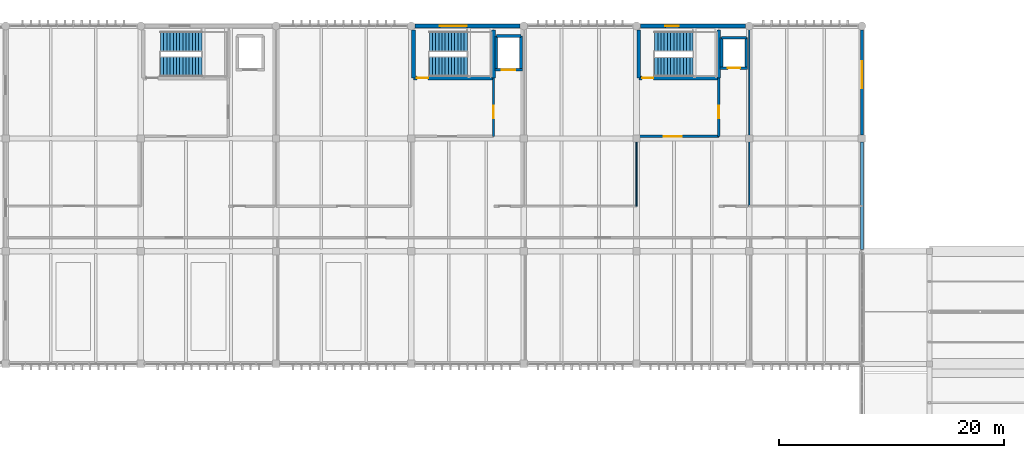
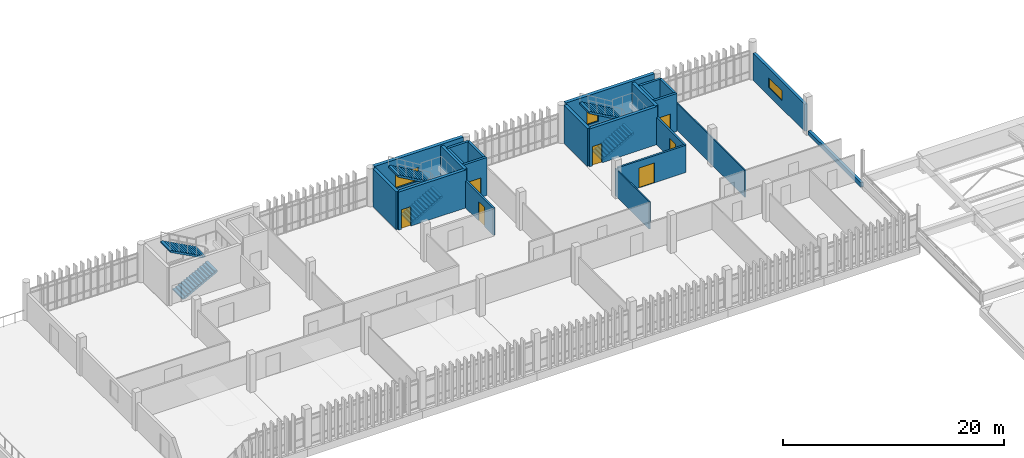
# One storey, part 79 of 82: 23 walls, 7 doors, 6 stair flights, 3 windows, 10 openings, 3 elements without a shape of their own.
"""IFC4 building model written with IfcOpenShell, lengths in metres."""

from ifc_helpers import new_model, si_unit, direction, frame, frame_2d, origin, place, context, subcontext, project, spatial, polyline, rectangle, outline, extrude, material, layer, layer_set, type_object, element, fill, aggregate, save


model = new_model("IFC4")

# Units and contexts
model_context = context("Model", 3, precision=1e-05, world=origin(), true_north=direction((0.0, 1.0)))
body_context = subcontext(model_context, "Body", "Model", "MODEL_VIEW")
ifc_project = project(units=[si_unit("LENGTHUNIT", "METRE"), si_unit("AREAUNIT", "SQUARE_METRE"), si_unit("VOLUMEUNIT", "CUBIC_METRE"), si_unit("PLANEANGLEUNIT", "RADIAN"), si_unit("MASSUNIT", "GRAM", prefix="KILO")], contexts=[model_context])

# Site, building, storey
site_placement = place(None, origin())
site = spatial("IfcSite", under=ifc_project, at=site_placement, CompositionType="ELEMENT")
building_placement = place(site_placement, origin())
building = spatial("IfcBuilding", under=site, at=building_placement, Name="Mersad Railyard Sports Hall", CompositionType="ELEMENT")
storey_placement = place(building_placement, frame((0.0, 0.0, 13.199951171875)))
storey = spatial("IfcBuildingStorey", under=building, at=storey_placement, Name="L03", CompositionType="ELEMENT", Elevation=13.199951171875)

# Wall, opening, window
ifc_material_1 = material(Name="Architectural concrete C50/60", Category="concrete")
ifc_layer_1 = layer(ifc_material_1, 0.35009765625)
ifc_layer_set_1 = layer_set([ifc_layer_1], Name="Architectural concrete C50/60")
wall_type_1 = type_object("IfcWallType", Name="ARC-WL-EW02", PredefinedType="SOLIDWALL", material=ifc_layer_set_1)
wall_1_placement = place(storey_placement, frame((91.35009765625, 115.0, 0.0), z_axis=(0.0, 0.0, 1.0), x_axis=(1.0, 0.0, 0.0)))
wall_1 = element("IfcWall", 1, at=wall_1_placement, inside=storey, type_object=wall_type_1, Name="External wall EW02-0130", PredefinedType="SOLIDWALL", context=body_context, shape_type="SweptSolid", body=[
    extrude(rectangle(XDim=9.2998046875, YDim=0.35009765625, at=frame_2d((4.64990234375, 0.0))), origin(), (0.0, 0.0, 1.0), 4.199951171875),
])
opening_1_placement = place(wall_1_placement, frame((2.199951171875, 0.0, 1.0)))
opening_1 = element("IfcOpeningElement", 2, at=opening_1_placement, cuts=wall_1, Name="Opening W07", PredefinedType="OPENING", context=body_context, shape_type="SweptSolid", body=[
    extrude(rectangle(XDim=2.39990234375, YDim=1.5, at=frame_2d((1.199951171875, 0.75))), frame((0.0, 0.18505859375, 0.0), z_axis=(0.0, -1.0, 0.0), x_axis=(1.0, 0.0, 0.0)), (0.0, 0.0, 1.0), 0.3701171875),
])
ifc_material_2 = material(Name="Solar-control glass", Category="glass")
window_type_1 = type_object("IfcWindowType", Name="ARC-WN-W07", PartitioningType="DOUBLE_PANEL_VERTICAL", PredefinedType="WINDOW", material=ifc_material_2)
window_1_placement = place(opening_1_placement, origin())
window_1 = element("IfcWindow", 3, at=window_1_placement, inside=storey, type_object=window_type_1, Name="Window W07-0045", OverallHeight=1.5, OverallWidth=2.39990234375, PartitioningType="DOUBLE_PANEL_VERTICAL", PredefinedType="WINDOW", context=body_context, shape_type="SweptSolid", body=[
    extrude(rectangle(XDim=2.39990234375, YDim=1.5, at=frame_2d((1.199951171875, 0.75))), frame((0.0, 0.030029296875, 0.0), z_axis=(0.0, -1.0, 0.0), x_axis=(1.0, 0.0, 0.0)), (0.0, 0.0, 1.0), 0.06005859375),
])
fill(opening_1, window_1)

wall_2_placement = place(storey_placement, frame((111.35009765625, 115.0, 0.0), z_axis=(0.0, 0.0, 1.0), x_axis=(1.0, 0.0, 0.0)))
wall_2 = element("IfcWall", 4, at=wall_2_placement, inside=storey, type_object=wall_type_1, Name="External wall EW02-0131", PredefinedType="SOLIDWALL", context=body_context, shape_type="SweptSolid", body=[
    extrude(rectangle(XDim=9.2998046875, YDim=0.35009765625, at=frame_2d((4.64990234375, 0.0))), origin(), (0.0, 0.0, 1.0), 4.199951171875),
])
opening_2_placement = place(wall_2_placement, frame((2.199951171875, 0.0, 1.0)))
opening_2 = element("IfcOpeningElement", 5, at=opening_2_placement, cuts=wall_2, Name="Opening W09", PredefinedType="OPENING", context=body_context, shape_type="SweptSolid", body=[
    extrude(rectangle(XDim=1.199951171875, YDim=1.800048828125, at=frame_2d((0.60009765625, 0.89990234375))), frame((0.0, 0.18505859375, 0.0), z_axis=(0.0, -1.0, 0.0), x_axis=(1.0, 0.0, 0.0)), (0.0, 0.0, 1.0), 0.3701171875),
])
window_type_2 = type_object("IfcWindowType", Name="ARC-WN-W09", PartitioningType="SINGLE_PANEL", PredefinedType="WINDOW", material=ifc_material_2)
window_2_placement = place(opening_2_placement, origin())
window_2 = element("IfcWindow", 6, at=window_2_placement, inside=storey, type_object=window_type_2, Name="Window W09-0046", OverallHeight=1.800048828125, OverallWidth=1.199951171875, PartitioningType="SINGLE_PANEL", PredefinedType="WINDOW", context=body_context, shape_type="SweptSolid", body=[
    extrude(rectangle(XDim=1.199951171875, YDim=1.800048828125, at=frame_2d((0.60009765625, 0.89990234375))), frame((0.0, 0.030029296875, 0.0), z_axis=(0.0, -1.0, 0.0), x_axis=(1.0, 0.0, 0.0)), (0.0, 0.0, 1.0), 0.06005859375),
])
fill(opening_2, window_2)

# Wall
ifc_material_3 = material(Name="Precast concrete C45/55", Category="concrete")
ifc_layer_2 = layer(ifc_material_3, 0.280029296875)
ifc_layer_set_2 = layer_set([ifc_layer_2], Name="Precast concrete C45/55")
wall_type_2 = type_object("IfcWallType", Name="ARC-WL-EW03", PredefinedType="SOLIDWALL", material=ifc_layer_set_2)
wall_3_placement = place(storey_placement, frame((131.0, 104.675048828125, 0.0), z_axis=(0.0, 0.0, 1.0), x_axis=(0.0, -1.0, 0.0)))
element("IfcWall", 7, at=wall_3_placement, inside=storey, type_object=wall_type_2, Name="External wall EW03-0136", PredefinedType="SOLIDWALL", context=body_context, shape_type="SweptSolid", body=[
    extrude(rectangle(XDim=9.525146484375, YDim=0.280029296875, at=frame_2d((4.7626953125, 0.0))), origin(), (0.0, 0.0, 1.0), 0.47509765625),
])

# Wall, opening, window
wall_4_placement = place(storey_placement, frame((131.0, 114.64990234375, 0.0), z_axis=(0.0, 0.0, 1.0), x_axis=(0.0, -1.0, 0.0)))
wall_4 = element("IfcWall", 8, at=wall_4_placement, inside=storey, type_object=wall_type_2, Name="External wall EW03-0137", PredefinedType="SOLIDWALL", context=body_context, shape_type="SweptSolid", body=[
    extrude(rectangle(XDim=9.324951171875, YDim=0.280029296875, at=frame_2d((4.66259765625, 0.0))), origin(), (0.0, 0.0, 1.0), 3.005126953125),
])
opening_3_placement = place(wall_4_placement, frame((2.800048828125, 0.0, 0.89990234375)))
opening_3 = element("IfcOpeningElement", 9, at=opening_3_placement, cuts=wall_4, Name="Opening W23", PredefinedType="OPENING", context=body_context, shape_type="SweptSolid", body=[
    extrude(rectangle(XDim=2.39990234375, YDim=1.10009765625, at=frame_2d((1.199951171875, 0.550048828125))), frame((0.0, 0.14990234375, 0.0), z_axis=(0.0, -1.0, 0.0), x_axis=(1.0, 0.0, 0.0)), (0.0, 0.0, 1.0), 0.300048828125),
])
window_type_3 = type_object("IfcWindowType", Name="ARC-WN-W23", PartitioningType="DOUBLE_PANEL_VERTICAL", PredefinedType="WINDOW", material=ifc_material_2)
window_3_placement = place(opening_3_placement, origin())
window_3 = element("IfcWindow", 10, at=window_3_placement, inside=storey, type_object=window_type_3, Name="Window W23-0048", OverallHeight=1.10009765625, OverallWidth=2.39990234375, PartitioningType="DOUBLE_PANEL_VERTICAL", PredefinedType="WINDOW", context=body_context, shape_type="SweptSolid", body=[
    extrude(rectangle(XDim=2.39990234375, YDim=1.10009765625, at=frame_2d((1.199951171875, 0.550048828125))), frame((0.0, 0.030029296875, 0.0), z_axis=(0.0, -1.0, 0.0), x_axis=(1.0, 0.0, 0.0)), (0.0, 0.0, 1.0), 0.06005859375),
])
fill(opening_3, window_3)

# Wall, opening, door
ifc_layer_3 = layer(ifc_material_3, 0.199951171875)
ifc_layer_set_3 = layer_set([ifc_layer_3], Name="Precast concrete C45/55")
wall_type_3 = type_object("IfcWallType", Name="ARC-WL-PT01", PredefinedType="PARTITIONING", material=ifc_layer_set_3)
wall_5_placement = place(storey_placement, frame((98.300048828125, 105.199951171875, 0.0), z_axis=(0.0, 0.0, 1.0), x_axis=(0.0, 1.0, 0.0)))
wall_5 = element("IfcWall", 11, at=wall_5_placement, inside=storey, type_object=wall_type_3, Name="Interior wall PT01-0221", PredefinedType="PARTITIONING", context=body_context, shape_type="SweptSolid", body=[
    extrude(rectangle(XDim=5.179931640625, YDim=0.199951171875, at=frame_2d((2.58984375, 0.0))), origin(), (0.0, 0.0, 1.0), 3.005126953125),
])
opening_4_placement = place(wall_5_placement, frame((1.60009765625, 0.0, 0.0)))
opening_4 = element("IfcOpeningElement", 12, at=opening_4_placement, cuts=wall_5, Name="Opening FD01", PredefinedType="OPENING", context=body_context, shape_type="SweptSolid", body=[
    extrude(rectangle(XDim=1.10009765625, YDim=2.14990234375, at=frame_2d((0.550048828125, 1.074951171875))), frame((0.0, 0.10986328125, 0.0), z_axis=(0.0, -1.0, 0.0), x_axis=(1.0, 0.0, 0.0)), (0.0, 0.0, 1.0), 0.219970703125),
])
ifc_material_4 = material(Name="Steel S355", Category="steel")
door_type_1 = type_object("IfcDoorType", Name="ARC-DR-FD01", OperationType="NOTDEFINED", PredefinedType="DOOR", material=ifc_material_4)
door_1_placement = place(opening_4_placement, origin())
door_1 = element("IfcDoor", 13, at=door_1_placement, inside=storey, type_object=door_type_1, Name="C2 lift-to-firefighting lobby door FD01-0087", OperationType="SINGLE_SWING_LEFT", OverallHeight=2.14990234375, OverallWidth=1.10009765625, PredefinedType="DOOR", context=body_context, shape_type="SweptSolid", body=[
    extrude(rectangle(XDim=1.10009765625, YDim=2.14990234375, at=frame_2d((0.550048828125, 1.074951171875))), frame((0.0, 0.02490234375, 0.0), z_axis=(0.0, -1.0, 0.0), x_axis=(1.0, 0.0, 0.0)), (0.0, 0.0, 1.0), 0.050048828125),
])
fill(opening_4, door_1)

wall_6_placement = place(storey_placement, frame((111.199951171875, 105.199951171875, 0.0), z_axis=(0.0, 0.0, 1.0), x_axis=(1.0, 0.0, 0.0)))
wall_6 = element("IfcWall", 14, at=wall_6_placement, inside=storey, type_object=wall_type_3, Name="Interior wall PT01-0262", PredefinedType="PARTITIONING", context=body_context, shape_type="SweptSolid", body=[
    extrude(rectangle(XDim=7.10009765625, YDim=0.199951171875, at=frame_2d((3.550048828125, 0.0))), origin(), (0.0, 0.0, 1.0), 3.005126953125),
])
opening_5_placement = place(wall_6_placement, frame((2.199951171875, 0.0, 0.0)))
opening_5 = element("IfcOpeningElement", 15, at=opening_5_placement, cuts=wall_6, Name="Opening FD04", PredefinedType="OPENING", context=body_context, shape_type="SweptSolid", body=[
    extrude(rectangle(XDim=1.60009765625, YDim=2.199951171875, at=frame_2d((0.800048828125, 1.10009765625))), frame((0.0, 0.10986328125, 0.0), z_axis=(0.0, -1.0, 0.0), x_axis=(1.0, 0.0, 0.0)), (0.0, 0.0, 1.0), 0.219970703125),
])
door_type_2 = type_object("IfcDoorType", Name="ARC-DR-FD04", OperationType="NOTDEFINED", PredefinedType="DOOR", material=ifc_material_4)
door_2_placement = place(opening_5_placement, origin())
door_2 = element("IfcDoor", 16, at=door_2_placement, inside=storey, type_object=door_type_2, Name="C3 firefighting lobby door FD04-0114", OperationType="DOUBLE_DOOR_SINGLE_SWING", OverallHeight=2.199951171875, OverallWidth=1.60009765625, PredefinedType="DOOR", context=body_context, shape_type="SweptSolid", body=[
    extrude(rectangle(XDim=1.60009765625, YDim=2.199951171875, at=frame_2d((0.800048828125, 1.10009765625))), frame((0.0, 0.02490234375, 0.0), z_axis=(0.0, -1.0, 0.0), x_axis=(1.0, 0.0, 0.0)), (0.0, 0.0, 1.0), 0.050048828125),
])
fill(opening_5, door_2)

wall_7_placement = place(storey_placement, frame((118.300048828125, 105.199951171875, 0.0), z_axis=(0.0, 0.0, 1.0), x_axis=(0.0, 1.0, 0.0)))
wall_7 = element("IfcWall", 17, at=wall_7_placement, inside=storey, type_object=wall_type_3, Name="Interior wall PT01-0263", PredefinedType="PARTITIONING", context=body_context, shape_type="SweptSolid", body=[
    extrude(rectangle(XDim=5.179931640625, YDim=0.199951171875, at=frame_2d((2.58984375, 0.0))), origin(), (0.0, 0.0, 1.0), 3.005126953125),
])
opening_6_placement = place(wall_7_placement, frame((1.60009765625, 0.0, 0.0)))
opening_6 = element("IfcOpeningElement", 18, at=opening_6_placement, cuts=wall_7, Name="Opening FD01", PredefinedType="OPENING", context=body_context, shape_type="SweptSolid", body=[
    extrude(rectangle(XDim=1.10009765625, YDim=2.14990234375, at=frame_2d((0.550048828125, 1.074951171875))), frame((0.0, 0.10986328125, 0.0), z_axis=(0.0, -1.0, 0.0), x_axis=(1.0, 0.0, 0.0)), (0.0, 0.0, 1.0), 0.219970703125),
])
door_3_placement = place(opening_6_placement, origin())
door_3 = element("IfcDoor", 19, at=door_3_placement, inside=storey, type_object=door_type_1, Name="C3 lift-to-firefighting lobby door FD01-0115", OperationType="SINGLE_SWING_RIGHT", OverallHeight=2.14990234375, OverallWidth=1.10009765625, PredefinedType="DOOR", context=body_context, shape_type="SweptSolid", body=[
    extrude(rectangle(XDim=1.10009765625, YDim=2.14990234375, at=frame_2d((0.550048828125, 1.074951171875))), frame((0.0, 0.02490234375, 0.0), z_axis=(0.0, -1.0, 0.0), x_axis=(1.0, 0.0, 0.0)), (0.0, 0.0, 1.0), 0.050048828125),
])
fill(opening_6, door_3)

# Walls
ifc_material_5 = material(Name="Gypsum plasterboard", Category="gypsum")
ifc_layer_4 = layer(ifc_material_5, 0.1201171875)
ifc_layer_set_4 = layer_set([ifc_layer_4], Name="Gypsum plasterboard")
wall_type_4 = type_object("IfcWallType", Name="ARC-WL-PT04", PredefinedType="PARTITIONING", material=ifc_layer_set_4)
wall_8_placement = place(storey_placement, frame((111.0, 99.0, 0.0), z_axis=(0.0, 0.0, 1.0), x_axis=(0.0, 1.0, 0.0)))
element("IfcWall", 20, at=wall_8_placement, inside=storey, type_object=wall_type_4, Name="Interior wall PT04-0495", PredefinedType="PARTITIONING", context=body_context, shape_type="SweptSolid", body=[
    extrude(rectangle(XDim=6.199951171875, YDim=0.1201171875, at=frame_2d((3.10009765625, 0.0))), origin(), (0.0, 0.0, 1.0), 3.005126953125),
])
wall_9_placement = place(storey_placement, frame((121.0, 99.0, 0.0), z_axis=(0.0, 0.0, 1.0), x_axis=(0.0, 1.0, 0.0)))
element("IfcWall", 21, at=wall_9_placement, inside=storey, type_object=wall_type_4, Name="Interior wall PT04-0497", PredefinedType="PARTITIONING", context=body_context, shape_type="SweptSolid", body=[
    extrude(rectangle(XDim=15.75, YDim=0.1201171875, at=frame_2d((7.875, 0.0))), origin(), (0.0, 0.0, 1.0), 3.005126953125),
])

# Wall, opening, door
ifc_material_6 = material(Name="Concrete C40/50", Category="concrete")
ifc_layer_5 = layer(ifc_material_6, 0.320068359375)
ifc_layer_set_5 = layer_set([ifc_layer_5], Name="Concrete C40/50")
wall_type_5 = type_object("IfcWallType", Name="STR-WL-SW02", PredefinedType="SHEAR", material=ifc_layer_set_5)
wall_10_placement = place(storey_placement, frame((91.199951171875, 110.3798828125, 0.0), z_axis=(0.0, 0.0, 1.0), x_axis=(1.0, 0.0, 0.0)))
wall_10 = element("IfcWall", 22, at=wall_10_placement, inside=storey, type_object=wall_type_5, Name="Interior wall SW02-0217", PredefinedType="SHEAR", context=body_context, shape_type="SweptSolid", body=[
    extrude(rectangle(XDim=7.10009765625, YDim=0.320068359375, at=frame_2d((3.550048828125, 0.0))), origin(), (0.0, 0.0, 1.0), 4.199951171875),
])
opening_7_placement = place(wall_10_placement, frame((0.300048828125, 0.0, 0.0)))
opening_7 = element("IfcOpeningElement", 23, at=opening_7_placement, cuts=wall_10, Name="Opening FD02", PredefinedType="OPENING", context=body_context, shape_type="SweptSolid", body=[
    extrude(rectangle(XDim=1.0, YDim=2.14990234375, at=frame_2d((0.5, 1.074951171875))), frame((0.0, 0.169921875, 0.0), z_axis=(0.0, -1.0, 0.0), x_axis=(1.0, 0.0, 0.0)), (0.0, 0.0, 1.0), 0.340087890625),
])
door_type_3 = type_object("IfcDoorType", Name="ARC-DR-FD02", OperationType="NOTDEFINED", PredefinedType="DOOR", material=ifc_material_4)
door_4_placement = place(opening_7_placement, origin())
door_4 = element("IfcDoor", 24, at=door_4_placement, inside=storey, type_object=door_type_3, Name="C2 stair entrance door FD02-0085", OperationType="SINGLE_SWING_RIGHT", OverallHeight=2.14990234375, OverallWidth=1.0, PredefinedType="DOOR", context=body_context, shape_type="SweptSolid", body=[
    extrude(rectangle(XDim=1.0, YDim=2.14990234375, at=frame_2d((0.5, 1.074951171875))), frame((0.0, 0.02490234375, 0.0), z_axis=(0.0, -1.0, 0.0), x_axis=(1.0, 0.0, 0.0)), (0.0, 0.0, 1.0), 0.050048828125),
])
fill(opening_7, door_4)

# Walls
for number, where, z_axis, x_axis, name in (
    (25, (98.300048828125, 110.3798828125, 0.0), (0.0, 0.0, 1.0), (0.0, 1.0, 0.0), "Interior wall SW02-0218"),
    (26, (91.199951171875, 114.6201171875, 0.0), (0.0, 0.0, 1.0), (0.0, -1.0, 0.0), "Interior wall SW02-0219"),
):
    element("IfcWall", number, at=place(storey_placement, frame(where, z_axis=z_axis, x_axis=x_axis)), inside=storey, type_object=wall_type_5, Name=name, PredefinedType="SHEAR", context=body_context, shape_type="SweptSolid", body=[
        extrude(rectangle(XDim=4.240234375, YDim=0.320068359375, at=frame_2d((2.1201171875, 0.0))), origin(), (0.0, 0.0, 1.0), 4.199951171875),
    ])

# Wall, opening, door
wall_11_placement = place(storey_placement, frame((111.199951171875, 110.3798828125, 0.0), z_axis=(0.0, 0.0, 1.0), x_axis=(1.0, 0.0, 0.0)))
wall_11 = element("IfcWall", 27, at=wall_11_placement, inside=storey, type_object=wall_type_5, Name="Interior wall SW02-0259", PredefinedType="SHEAR", context=body_context, shape_type="SweptSolid", body=[
    extrude(rectangle(XDim=7.10009765625, YDim=0.320068359375, at=frame_2d((3.550048828125, 0.0))), origin(), (0.0, 0.0, 1.0), 4.199951171875),
])
opening_8_placement = place(wall_11_placement, frame((0.300048828125, 0.0, 0.0)))
opening_8 = element("IfcOpeningElement", 28, at=opening_8_placement, cuts=wall_11, Name="Opening FD02", PredefinedType="OPENING", context=body_context, shape_type="SweptSolid", body=[
    extrude(rectangle(XDim=1.0, YDim=2.14990234375, at=frame_2d((0.5, 1.074951171875))), frame((0.0, 0.169921875, 0.0), z_axis=(0.0, -1.0, 0.0), x_axis=(1.0, 0.0, 0.0)), (0.0, 0.0, 1.0), 0.340087890625),
])
door_5_placement = place(opening_8_placement, origin())
door_5 = element("IfcDoor", 29, at=door_5_placement, inside=storey, type_object=door_type_3, Name="C3 stair entrance door FD02-0113", OperationType="SINGLE_SWING_LEFT", OverallHeight=2.14990234375, OverallWidth=1.0, PredefinedType="DOOR", context=body_context, shape_type="SweptSolid", body=[
    extrude(rectangle(XDim=1.0, YDim=2.14990234375, at=frame_2d((0.5, 1.074951171875))), frame((0.0, 0.02490234375, 0.0), z_axis=(0.0, -1.0, 0.0), x_axis=(1.0, 0.0, 0.0)), (0.0, 0.0, 1.0), 0.050048828125),
])
fill(opening_8, door_5)

# Walls
for number, where, z_axis, x_axis, name in (
    (30, (118.300048828125, 110.3798828125, 0.0), (0.0, 0.0, 1.0), (0.0, 1.0, 0.0), "Interior wall SW02-0260"),
    (31, (111.199951171875, 114.6201171875, 0.0), (0.0, 0.0, 1.0), (0.0, -1.0, 0.0), "Interior wall SW02-0261"),
):
    element("IfcWall", number, at=place(storey_placement, frame(where, z_axis=z_axis, x_axis=x_axis)), inside=storey, type_object=wall_type_5, Name=name, PredefinedType="SHEAR", context=body_context, shape_type="SweptSolid", body=[
        extrude(rectangle(XDim=4.240234375, YDim=0.320068359375, at=frame_2d((2.1201171875, 0.0))), origin(), (0.0, 0.0, 1.0), 4.199951171875),
    ])
ifc_layer_6 = layer(ifc_material_6, 0.239990234375)
ifc_layer_set_6 = layer_set([ifc_layer_6], Name="Concrete C40/50")
wall_type_6 = type_object("IfcWallType", Name="STR-WL-SW03", PredefinedType="SHEAR", material=ifc_layer_set_6)
for number, where, z_axis, x_axis, name in (
    (32, (98.550048828125, 111.10009765625, 0.0), (0.0, 0.0, 1.0), (0.0, 1.0, 0.0), "Interior wall SW03-0043"),
    (33, (100.75, 114.10009765625, 0.0), (0.0, 0.0, 1.0), (0.0, -1.0, 0.0), "Interior wall SW03-0044"),
):
    element("IfcWall", number, at=place(storey_placement, frame(where, z_axis=z_axis, x_axis=x_axis)), inside=storey, type_object=wall_type_6, Name=name, PredefinedType="SHEAR", context=body_context, shape_type="SweptSolid", body=[
        extrude(rectangle(XDim=3.0, YDim=0.239990234375, at=frame_2d((1.5, 0.0))), origin(), (0.0, 0.0, 1.0), 4.199951171875),
    ])
wall_12_placement = place(storey_placement, frame((98.550048828125, 114.10009765625, 0.0), z_axis=(0.0, 0.0, 1.0), x_axis=(1.0, 0.0, 0.0)))
element("IfcWall", 34, at=wall_12_placement, inside=storey, type_object=wall_type_6, Name="Interior wall SW03-0045", PredefinedType="SHEAR", context=body_context, shape_type="SweptSolid", body=[
    extrude(rectangle(XDim=2.199951171875, YDim=0.239990234375, at=frame_2d((1.10009765625, 0.0))), origin(), (0.0, 0.0, 1.0), 4.199951171875),
])

# Wall, opening, door
wall_13_placement = place(storey_placement, frame((100.8701171875, 111.10009765625, 0.0), z_axis=(0.0, 0.0, 1.0), x_axis=(-1.0, 0.0, 0.0)))
wall_13 = element("IfcWall", 35, at=wall_13_placement, inside=storey, type_object=wall_type_6, Name="Interior wall SW03-0046", PredefinedType="SHEAR", context=body_context, shape_type="SweptSolid", body=[
    extrude(rectangle(XDim=2.440185546875, YDim=0.239990234375, at=frame_2d((1.22021484375, 0.0))), origin(), (0.0, 0.0, 1.0), 4.199951171875),
])
opening_9_placement = place(wall_13_placement, frame((0.6201171875, 0.0, 0.0)))
opening_9 = element("IfcOpeningElement", 36, at=opening_9_placement, cuts=wall_13, Name="Opening LD02", PredefinedType="OPENING", context=body_context, shape_type="SweptSolid", body=[
    extrude(rectangle(XDim=1.199951171875, YDim=2.14990234375, at=frame_2d((0.60009765625, 1.074951171875))), frame((0.0, 0.1298828125, 0.0), z_axis=(0.0, -1.0, 0.0), x_axis=(1.0, 0.0, 0.0)), (0.0, 0.0, 1.0), 0.260009765625),
])
door_type_4 = type_object("IfcDoorType", Name="ARC-DR-LD02", OperationType="NOTDEFINED", PredefinedType="USERDEFINED", material=ifc_material_4)
door_6_placement = place(opening_9_placement, origin())
door_6 = element("IfcDoor", 37, at=door_6_placement, inside=storey, type_object=door_type_4, Name="Lift FFL-02 landing door LD02-0012", ObjectType="LANDING DOOR", OperationType="DOUBLE_DOOR_SLIDING", OverallHeight=2.14990234375, OverallWidth=1.199951171875, PredefinedType="USERDEFINED", context=body_context, shape_type="SweptSolid", body=[
    extrude(rectangle(XDim=1.199951171875, YDim=2.14990234375, at=frame_2d((0.60009765625, 1.074951171875))), frame((0.0, 0.02490234375, 0.0), z_axis=(0.0, -1.0, 0.0), x_axis=(1.0, 0.0, 0.0)), (0.0, 0.0, 1.0), 0.050048828125),
])
fill(opening_9, door_6)

# Walls
for number, where, z_axis, x_axis, name in (
    (38, (118.550048828125, 111.25, 0.0), (0.0, 0.0, 1.0), (0.0, 1.0, 0.0), "Interior wall SW03-0070"),
    (39, (120.75, 113.949951171875, 0.0), (0.0, 0.0, 1.0), (0.0, -1.0, 0.0), "Interior wall SW03-0071"),
):
    element("IfcWall", number, at=place(storey_placement, frame(where, z_axis=z_axis, x_axis=x_axis)), inside=storey, type_object=wall_type_6, Name=name, PredefinedType="SHEAR", context=body_context, shape_type="SweptSolid", body=[
        extrude(rectangle(XDim=2.699951171875, YDim=0.239990234375, at=frame_2d((1.35009765625, 0.0))), origin(), (0.0, 0.0, 1.0), 4.199951171875),
    ])
wall_14_placement = place(storey_placement, frame((118.550048828125, 113.949951171875, 0.0), z_axis=(0.0, 0.0, 1.0), x_axis=(1.0, 0.0, 0.0)))
element("IfcWall", 40, at=wall_14_placement, inside=storey, type_object=wall_type_6, Name="Interior wall SW03-0072", PredefinedType="SHEAR", context=body_context, shape_type="SweptSolid", body=[
    extrude(rectangle(XDim=2.199951171875, YDim=0.239990234375, at=frame_2d((1.10009765625, 0.0))), origin(), (0.0, 0.0, 1.0), 4.199951171875),
])

# Wall, opening, door
wall_15_placement = place(storey_placement, frame((120.8701171875, 111.25, 0.0), z_axis=(0.0, 0.0, 1.0), x_axis=(-1.0, 0.0, 0.0)))
wall_15 = element("IfcWall", 41, at=wall_15_placement, inside=storey, type_object=wall_type_6, Name="Interior wall SW03-0073", PredefinedType="SHEAR", context=body_context, shape_type="SweptSolid", body=[
    extrude(rectangle(XDim=2.440185546875, YDim=0.239990234375, at=frame_2d((1.22021484375, 0.0))), origin(), (0.0, 0.0, 1.0), 4.199951171875),
])
opening_10_placement = place(wall_15_placement, frame((0.669921875, 0.0, 0.0)))
opening_10 = element("IfcOpeningElement", 42, at=opening_10_placement, cuts=wall_15, Name="Opening LD01", PredefinedType="OPENING", context=body_context, shape_type="SweptSolid", body=[
    extrude(rectangle(XDim=1.10009765625, YDim=2.14990234375, at=frame_2d((0.550048828125, 1.074951171875))), frame((0.0, 0.1298828125, 0.0), z_axis=(0.0, -1.0, 0.0), x_axis=(1.0, 0.0, 0.0)), (0.0, 0.0, 1.0), 0.260009765625),
])
door_type_5 = type_object("IfcDoorType", Name="ARC-DR-LD01", OperationType="NOTDEFINED", PredefinedType="USERDEFINED", material=ifc_material_4)
door_7_placement = place(opening_10_placement, origin())
door_7 = element("IfcDoor", 43, at=door_7_placement, inside=storey, type_object=door_type_5, Name="Lift PL-03 landing door LD01-0019", ObjectType="LANDING DOOR", OperationType="DOUBLE_DOOR_SLIDING", OverallHeight=2.14990234375, OverallWidth=1.10009765625, PredefinedType="USERDEFINED", context=body_context, shape_type="SweptSolid", body=[
    extrude(rectangle(XDim=1.10009765625, YDim=2.14990234375, at=frame_2d((0.550048828125, 1.074951171875))), frame((0.0, 0.02490234375, 0.0), z_axis=(0.0, -1.0, 0.0), x_axis=(1.0, 0.0, 0.0)), (0.0, 0.0, 1.0), 0.050048828125),
])
fill(opening_10, door_7)

# Stair, stair flights
stair_type_1 = type_object("IfcStairType", Name="ARC-ST-ST01E", PredefinedType="HALF_TURN_STAIR", material=ifc_material_6)
stair_1_placement = place(storey_placement, origin())
stair_1 = element("IfcStair", 44, at=stair_1_placement, inside=storey, type_object=stair_type_1, Name="Core C1 Exit Stair L03-L04", PredefinedType="HALF_TURN_STAIR")
stair_flight_type_1 = type_object("IfcStairFlightType", Name="ARC-SF-ST01EF", PredefinedType="STRAIGHT", material=ifc_material_6)
stair_flight_1_placement = place(storey_placement, frame((68.75, 111.39990234375, 0.0), z_axis=(0.0, 0.0, 1.0), x_axis=(1.0, 0.0, 0.0)))
stair_flight_1 = element("IfcStairFlight", 45, at=stair_flight_1_placement, type_object=stair_flight_type_1, Name="Core C1 Exit Stair L03-L04 Flight 1", NumberOfRisers=14, NumberOfTreads=13, PredefinedType="STRAIGHT", RiserHeight=0.15, TreadLength=0.282, context=body_context, shape_type="SweptSolid", body=[
    extrude(outline(polyline([(0.0, 0.0), (0.0, 0.14990234375), (0.281982421875, 0.14990234375), (0.281982421875, 0.300048828125), (0.56396484375, 0.300048828125), (0.56396484375, 0.449951171875), (0.845947265625, 0.449951171875), (0.845947265625, 0.60009765625), (1.1279296875, 0.60009765625), (1.1279296875, 0.75), (1.409912109375, 0.75), (1.409912109375, 0.89990234375), (1.69189453125, 0.89990234375), (1.69189453125, 1.050048828125), (1.97412109375, 1.050048828125), (1.97412109375, 1.199951171875), (2.256103515625, 1.199951171875), (2.256103515625, 1.35009765625), (2.5380859375, 1.35009765625), (2.5380859375, 1.5), (2.820068359375, 1.5), (2.820068359375, 1.64990234375), (3.10205078125, 1.64990234375), (3.10205078125, 1.800048828125), (3.384033203125, 1.800048828125), (3.384033203125, 1.949951171875), (3.666015625, 1.949951171875), (3.666015625, 2.10009765625), (3.666015625, 1.768798828125), (0.340576171875, 0.0), (0.0, 0.0)])), frame((0.0, 0.8798828125, 0.0), z_axis=(0.0, -1.0, 0.0), x_axis=(1.0, 0.0, 0.0)), (0.0, 0.0, 1.0), 1.760009765625),
])
stair_flight_2_placement = place(storey_placement, frame((72.416015625, 113.60009765625, 2.10009765625), z_axis=(0.0, 0.0, 1.0), x_axis=(-1.0, 0.0, 0.0)))
stair_flight_2 = element("IfcStairFlight", 46, at=stair_flight_2_placement, type_object=stair_flight_type_1, Name="Core C1 Exit Stair L03-L04 Flight 2", NumberOfRisers=14, NumberOfTreads=13, PredefinedType="STRAIGHT", RiserHeight=0.15, TreadLength=0.282, context=body_context, shape_type="SweptSolid", body=[
    extrude(outline(polyline([(0.0, 0.0), (0.0, 0.14990234375), (0.281982421875, 0.14990234375), (0.281982421875, 0.300048828125), (0.56396484375, 0.300048828125), (0.56396484375, 0.449951171875), (0.845947265625, 0.449951171875), (0.845947265625, 0.60009765625), (1.1279296875, 0.60009765625), (1.1279296875, 0.75), (1.409912109375, 0.75), (1.409912109375, 0.89990234375), (1.69189453125, 0.89990234375), (1.69189453125, 1.050048828125), (1.97412109375, 1.050048828125), (1.97412109375, 1.199951171875), (2.256103515625, 1.199951171875), (2.256103515625, 1.35009765625), (2.5380859375, 1.35009765625), (2.5380859375, 1.5), (2.820068359375, 1.5), (2.820068359375, 1.64990234375), (3.10205078125, 1.64990234375), (3.10205078125, 1.800048828125), (3.384033203125, 1.800048828125), (3.384033203125, 1.949951171875), (3.666015625, 1.949951171875), (3.666015625, 2.10009765625), (3.666015625, 1.768798828125), (0.340576171875, 0.0), (0.0, 0.0)])), frame((0.0, 0.8798828125, 0.0), z_axis=(0.0, -1.0, 0.0), x_axis=(1.0, 0.0, 0.0)), (0.0, 0.0, 1.0), 1.760009765625),
])
aggregate(stair_1, [stair_flight_1, stair_flight_2])

stair_type_2 = type_object("IfcStairType", Name="ARC-ST-ST02E", PredefinedType="HALF_TURN_STAIR", material=ifc_material_6)
stair_2_placement = place(storey_placement, origin())
stair_2 = element("IfcStair", 47, at=stair_2_placement, inside=storey, type_object=stair_type_2, Name="Core C2 Exit Stair L03-L04", PredefinedType="HALF_TURN_STAIR")
stair_flight_type_2 = type_object("IfcStairFlightType", Name="ARC-SF-ST02EF", PredefinedType="STRAIGHT", material=ifc_material_6)
stair_flight_3_placement = place(storey_placement, frame((92.60009765625, 111.39990234375, 0.0), z_axis=(0.0, 0.0, 1.0), x_axis=(1.0, 0.0, 0.0)))
stair_flight_3 = element("IfcStairFlight", 48, at=stair_flight_3_placement, type_object=stair_flight_type_2, Name="Core C2 Exit Stair L03-L04 Flight 1", NumberOfRisers=13, NumberOfTreads=12, PredefinedType="STRAIGHT", RiserHeight=0.161538, TreadLength=0.282, context=body_context, shape_type="SweptSolid", body=[
    extrude(outline(polyline([(0.0, 0.0), (0.0, 0.16162109375), (0.281982421875, 0.16162109375), (0.281982421875, 0.322998046875), (0.56396484375, 0.322998046875), (0.56396484375, 0.484619140625), (0.845947265625, 0.484619140625), (0.845947265625, 0.646240234375), (1.1279296875, 0.646240234375), (1.1279296875, 0.8076171875), (1.409912109375, 0.8076171875), (1.409912109375, 0.96923828125), (1.69189453125, 0.96923828125), (1.69189453125, 1.130859375), (1.97412109375, 1.130859375), (1.97412109375, 1.292236328125), (2.256103515625, 1.292236328125), (2.256103515625, 1.453857421875), (2.5380859375, 1.453857421875), (2.5380859375, 1.615478515625), (2.820068359375, 1.615478515625), (2.820068359375, 1.77685546875), (3.10205078125, 1.77685546875), (3.10205078125, 1.9384765625), (3.384033203125, 1.9384765625), (3.384033203125, 2.10009765625), (3.384033203125, 1.754150390625), (0.32177734375, 0.0), (0.0, 0.0)])), frame((0.0, 0.8798828125, 0.0), z_axis=(0.0, -1.0, 0.0), x_axis=(1.0, 0.0, 0.0)), (0.0, 0.0, 1.0), 1.760009765625),
])
stair_flight_4_placement = place(storey_placement, frame((95.98388671875, 113.60009765625, 2.10009765625), z_axis=(0.0, 0.0, 1.0), x_axis=(-1.0, 0.0, 0.0)))
stair_flight_4 = element("IfcStairFlight", 49, at=stair_flight_4_placement, type_object=stair_flight_type_2, Name="Core C2 Exit Stair L03-L04 Flight 2", NumberOfRisers=13, NumberOfTreads=12, PredefinedType="STRAIGHT", RiserHeight=0.161538, TreadLength=0.282, context=body_context, shape_type="SweptSolid", body=[
    extrude(outline(polyline([(0.0, 0.0), (0.0, 0.16162109375), (0.281982421875, 0.16162109375), (0.281982421875, 0.322998046875), (0.56396484375, 0.322998046875), (0.56396484375, 0.484619140625), (0.845947265625, 0.484619140625), (0.845947265625, 0.646240234375), (1.1279296875, 0.646240234375), (1.1279296875, 0.8076171875), (1.409912109375, 0.8076171875), (1.409912109375, 0.96923828125), (1.69189453125, 0.96923828125), (1.69189453125, 1.130859375), (1.97412109375, 1.130859375), (1.97412109375, 1.292236328125), (2.256103515625, 1.292236328125), (2.256103515625, 1.453857421875), (2.5380859375, 1.453857421875), (2.5380859375, 1.615478515625), (2.820068359375, 1.615478515625), (2.820068359375, 1.77685546875), (3.10205078125, 1.77685546875), (3.10205078125, 1.9384765625), (3.384033203125, 1.9384765625), (3.384033203125, 2.10009765625), (3.384033203125, 1.754150390625), (0.32177734375, 0.0), (0.0, 0.0)])), frame((0.0, 0.8798828125, 0.0), z_axis=(0.0, -1.0, 0.0), x_axis=(1.0, 0.0, 0.0)), (0.0, 0.0, 1.0), 1.760009765625),
])
aggregate(stair_2, [stair_flight_3, stair_flight_4])

stair_type_3 = type_object("IfcStairType", Name="ARC-ST-ST03E", PredefinedType="HALF_TURN_STAIR", material=ifc_material_6)
stair_3_placement = place(storey_placement, origin())
stair_3 = element("IfcStair", 50, at=stair_3_placement, inside=storey, type_object=stair_type_3, Name="Core C3 Exit Stair L03-L04", PredefinedType="HALF_TURN_STAIR")
stair_flight_type_3 = type_object("IfcStairFlightType", Name="ARC-SF-ST03EF", PredefinedType="STRAIGHT", material=ifc_material_6)
stair_flight_5_placement = place(storey_placement, frame((112.60009765625, 111.3798828125, 0.0), z_axis=(0.0, 0.0, 1.0), x_axis=(1.0, 0.0, 0.0)))
stair_flight_5 = element("IfcStairFlight", 51, at=stair_flight_5_placement, type_object=stair_flight_type_3, Name="Core C3 Exit Stair L03-L04 Flight 1", NumberOfRisers=13, NumberOfTreads=12, PredefinedType="STRAIGHT", RiserHeight=0.161538, TreadLength=0.284, context=body_context, shape_type="SweptSolid", body=[
    extrude(outline(polyline([(0.0, 0.0), (0.0, 0.16162109375), (0.283935546875, 0.16162109375), (0.283935546875, 0.322998046875), (0.568115234375, 0.322998046875), (0.568115234375, 0.484619140625), (0.85205078125, 0.484619140625), (0.85205078125, 0.646240234375), (1.135986328125, 0.646240234375), (1.135986328125, 0.8076171875), (1.419921875, 0.8076171875), (1.419921875, 0.96923828125), (1.7041015625, 0.96923828125), (1.7041015625, 1.130859375), (1.988037109375, 1.130859375), (1.988037109375, 1.292236328125), (2.27197265625, 1.292236328125), (2.27197265625, 1.453857421875), (2.555908203125, 1.453857421875), (2.555908203125, 1.615478515625), (2.840087890625, 1.615478515625), (2.840087890625, 1.77685546875), (3.1240234375, 1.77685546875), (3.1240234375, 1.9384765625), (3.407958984375, 1.9384765625), (3.407958984375, 2.10009765625), (3.407958984375, 1.75439453125), (0.323486328125, 0.0), (0.0, 0.0)])), frame((0.0, 0.85986328125, 0.0), z_axis=(0.0, -1.0, 0.0), x_axis=(1.0, 0.0, 0.0)), (0.0, 0.0, 1.0), 1.719970703125),
])
stair_flight_6_placement = place(storey_placement, frame((116.008056640625, 113.6201171875, 2.10009765625), z_axis=(0.0, 0.0, 1.0), x_axis=(-1.0, 0.0, 0.0)))
stair_flight_6 = element("IfcStairFlight", 52, at=stair_flight_6_placement, type_object=stair_flight_type_3, Name="Core C3 Exit Stair L03-L04 Flight 2", NumberOfRisers=13, NumberOfTreads=12, PredefinedType="STRAIGHT", RiserHeight=0.161538, TreadLength=0.284, context=body_context, shape_type="SweptSolid", body=[
    extrude(outline(polyline([(0.0, 0.0), (0.0, 0.16162109375), (0.283935546875, 0.16162109375), (0.283935546875, 0.322998046875), (0.568115234375, 0.322998046875), (0.568115234375, 0.484619140625), (0.85205078125, 0.484619140625), (0.85205078125, 0.646240234375), (1.135986328125, 0.646240234375), (1.135986328125, 0.8076171875), (1.419921875, 0.8076171875), (1.419921875, 0.96923828125), (1.7041015625, 0.96923828125), (1.7041015625, 1.130859375), (1.988037109375, 1.130859375), (1.988037109375, 1.292236328125), (2.27197265625, 1.292236328125), (2.27197265625, 1.453857421875), (2.555908203125, 1.453857421875), (2.555908203125, 1.615478515625), (2.840087890625, 1.615478515625), (2.840087890625, 1.77685546875), (3.1240234375, 1.77685546875), (3.1240234375, 1.9384765625), (3.407958984375, 1.9384765625), (3.407958984375, 2.10009765625), (3.407958984375, 1.75439453125), (0.323486328125, 0.0), (0.0, 0.0)])), frame((0.0, 0.85986328125, 0.0), z_axis=(0.0, -1.0, 0.0), x_axis=(1.0, 0.0, 0.0)), (0.0, 0.0, 1.0), 1.719970703125),
])
aggregate(stair_3, [stair_flight_5, stair_flight_6])

save(model, "model.ifc")
